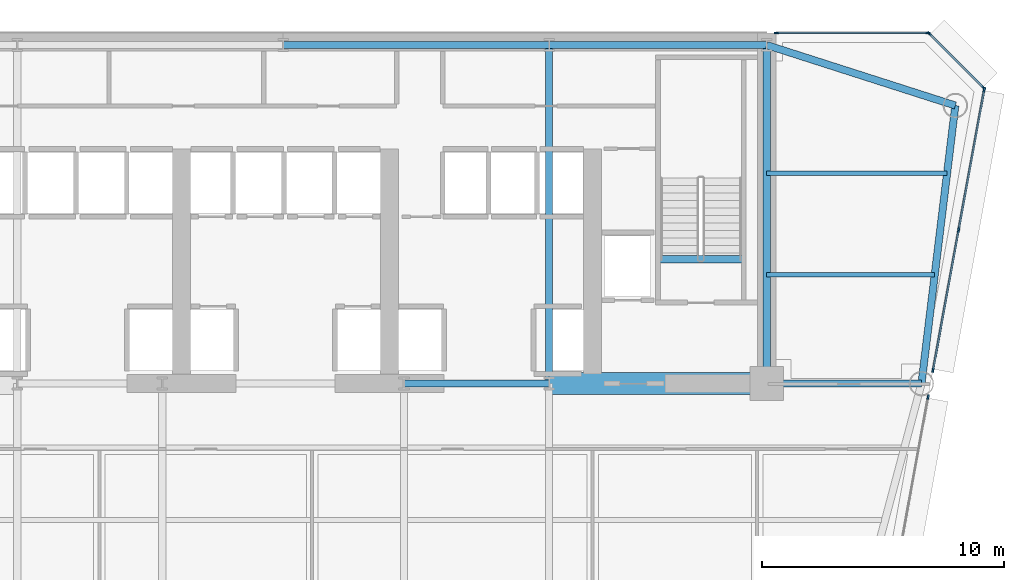
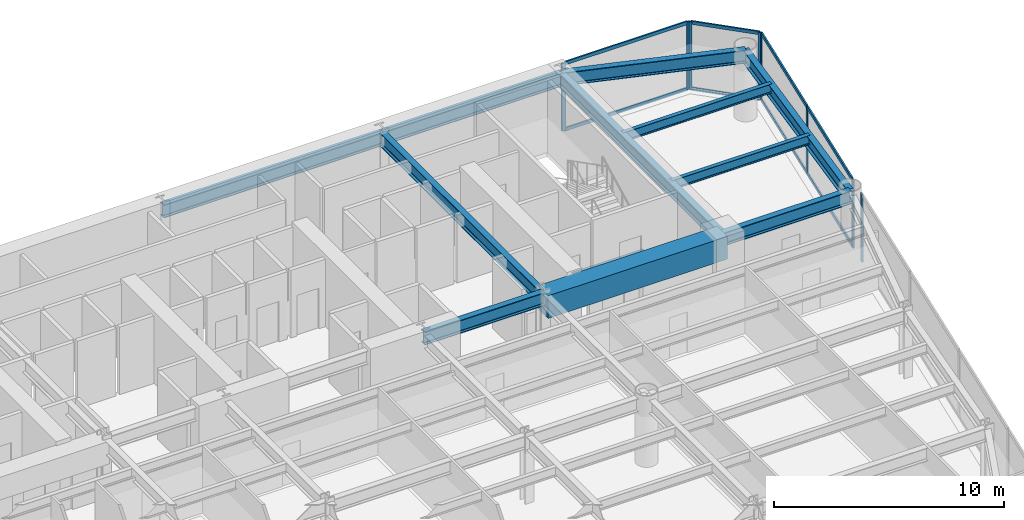
# One storey, part 7 of 15: 16 members, 12 beams, 4 elements without a shape of their own.
"""IFC4 building model written with IfcOpenShell, lengths in metres."""

from ifc_helpers import new_model, si_unit, direction, frame, origin, origin_2d, place, context, subcontext, project, spatial, rectangle, i_section, extrude, source, transform, mapped, material, layer, layer_set, material_profile, profile_set, type_object, element, aggregate, save


model = new_model("IFC4")

# Units and contexts
model_context = context("Model", 3, precision=1e-05, world=origin(), true_north=direction((0.0, 1.0)))
body_context = subcontext(model_context, "Body", "Model", "MODEL_VIEW")
ifc_project = project(units=[si_unit("LENGTHUNIT", "METRE"), si_unit("AREAUNIT", "SQUARE_METRE"), si_unit("VOLUMEUNIT", "CUBIC_METRE"), si_unit("PLANEANGLEUNIT", "RADIAN"), si_unit("MASSUNIT", "GRAM", prefix="KILO")], contexts=[model_context])

# Site, building, storey
site_placement = place(None, origin())
site = spatial("IfcSite", under=ifc_project, at=site_placement, CompositionType="ELEMENT")
building_placement = place(site_placement, origin())
building = spatial("IfcBuilding", under=site, at=building_placement, Name="Vaeldorn Concourse Tower", CompositionType="ELEMENT")
storey_placement = place(building_placement, frame((0.0, 0.0, 103.39990234375)))
storey = spatial("IfcBuildingStorey", under=building, at=storey_placement, Name="L26", CompositionType="ELEMENT", Elevation=103.39990234375)

# Beams
ifc_material_1 = material(Name="Concrete C60/75", Category="concrete")
ifc_material_profile_1 = material_profile(ifc_material_1, rectangle(XDim=0.89990234375, YDim=1.199951171875, at=origin_2d()), Name="RC 900x1200")
ifc_profile_set_1 = profile_set([ifc_material_profile_1], Name="Concrete C60/75")
beam_type_1 = type_object("IfcBeamType", Name="BM-CB-RC900", PredefinedType="BEAM", material=ifc_profile_set_1)
shared_shape_1 = source(origin(), body_context, "Body", "SweptSolid", [
    extrude(rectangle(XDim=0.89990234375, YDim=1.199951171875, at=origin_2d()), origin(), (0.0, 0.0, 1.0), 9.0),
])
beam_1_placement = place(storey_placement, frame((45.0, 36.5, 2.97998046875), z_axis=(1.0, 0.0, 0.0), x_axis=(0.0, 1.0, 0.0)))
element("IfcBeam", 1, at=beam_1_placement, inside=storey, type_object=beam_type_1, Name="Core Coupling Beam L26-2", PredefinedType="BEAM", context=body_context, shape_type="MappedRepresentation", body=[
    mapped(shared_shape_1, transform((0.0, 0.0, 0.0), scale=1.0)),
])
ifc_material_2 = material(Name="Steel S355", Category="steel")
ifc_material_profile_2 = material_profile(ifc_material_2, i_section(OverallWidth=0.300048828125, OverallDepth=0.340087890625, WebThickness=0.011962890625, FlangeThickness=0.021484375, FilletRadius=0.027099609375, at=origin_2d()), Name="HEB 340")
ifc_profile_set_2 = profile_set([ifc_material_profile_2], Name="Steel S355")
beam_type_2 = type_object("IfcBeamType", Name="BM-ST-TRIM", PredefinedType="BEAM", material=ifc_profile_set_2)
shared_shape_2 = source(origin(), body_context, "Body", "SweptSolid", [
    extrude(i_section(OverallWidth=0.300048828125, OverallDepth=0.340087890625, WebThickness=0.011962890625, FlangeThickness=0.021484375, FilletRadius=0.027099609375, at=origin_2d()), origin(), (0.0, 0.0, 1.0), 3.590087890625),
])
beam_2_placement = place(storey_placement, frame((49.47998046875, 41.639892578125, -0.389892578125), z_axis=(1.0, 0.0, 0.0), x_axis=(0.0, 1.0, 0.0)))
element("IfcBeam", 2, at=beam_2_placement, inside=storey, type_object=beam_type_2, Name="Stair Landing Trimmer Beam ST-2 L26", PredefinedType="BEAM", context=body_context, shape_type="MappedRepresentation", body=[
    mapped(shared_shape_2, transform((0.0, 0.0, 0.0), scale=1.0)),
])
ifc_material_profile_3 = material_profile(ifc_material_2, i_section(OverallWidth=0.199951171875, OverallDepth=0.5, WebThickness=0.01025390625, FlangeThickness=0.01611328125, FilletRadius=0.02099609375, at=origin_2d()), Name="IPE 500")
ifc_profile_set_3 = profile_set([ifc_material_profile_3], Name="Steel S355")
beam_type_3 = type_object("IfcBeamType", Name="BM-JS-IPE500", PredefinedType="JOIST", material=ifc_profile_set_3)
shared_shape_3 = source(origin(), body_context, "Body", "SweptSolid", [
    extrude(i_section(OverallWidth=0.199951171875, OverallDepth=0.5, WebThickness=0.01025390625, FlangeThickness=0.01611328125, FilletRadius=0.02099609375, at=origin_2d()), origin(), (0.0, 0.0, 1.0), 6.94775390625),
])
beam_3_placement = place(storey_placement, frame((54.0, 41.0, 3.330078125), z_axis=(1.0, 0.0, 0.0), x_axis=(0.0, 1.0, 0.0)))
element("IfcBeam", 3, at=beam_3_placement, inside=storey, type_object=beam_type_3, Name="Beam JS-L26-NE-410", PredefinedType="JOIST", context=body_context, shape_type="MappedRepresentation", body=[
    mapped(shared_shape_3, transform((0.0, 0.0, 0.0), scale=1.0)),
])
shared_shape_4 = source(origin(), body_context, "Body", "SweptSolid", [
    extrude(i_section(OverallWidth=0.199951171875, OverallDepth=0.5, WebThickness=0.01025390625, FlangeThickness=0.01611328125, FilletRadius=0.02099609375, at=origin_2d()), origin(), (0.0, 0.0, 1.0), 7.458984375),
])
beam_4_placement = place(storey_placement, frame((54.0, 45.199951171875, 3.330078125), z_axis=(1.0, 0.0, 0.0), x_axis=(0.0, 1.0, 0.0)))
element("IfcBeam", 4, at=beam_4_placement, inside=storey, type_object=beam_type_3, Name="Beam JS-L26-NE-452", PredefinedType="JOIST", context=body_context, shape_type="MappedRepresentation", body=[
    mapped(shared_shape_4, transform((0.0, 0.0, 0.0), scale=1.0)),
])
ifc_material_profile_4 = material_profile(ifc_material_2, i_section(OverallWidth=0.300048828125, OverallDepth=0.699951171875, WebThickness=0.01708984375, FlangeThickness=0.031982421875, FilletRadius=0.027099609375, at=origin_2d()), Name="HEB 700")
ifc_profile_set_4 = profile_set([ifc_material_profile_4], Name="Steel S355")
beam_type_4 = type_object("IfcBeamType", Name="BM-PG-HEB700", PredefinedType="BEAM", material=ifc_profile_set_4)
shared_shape_5 = source(origin(), body_context, "Body", "SweptSolid", [
    extrude(i_section(OverallWidth=0.300048828125, OverallDepth=0.699951171875, WebThickness=0.01708984375, FlangeThickness=0.031982421875, FilletRadius=0.027099609375, at=origin_2d()), origin(), (0.0, 0.0, 1.0), 6.0),
])
beam_5_placement = place(storey_placement, frame((39.0, 36.5, 3.22998046875), z_axis=(1.0, 0.0, 0.0), x_axis=(0.0, 1.0, 0.0)))
element("IfcBeam", 5, at=beam_5_placement, inside=storey, type_object=beam_type_4, Name="Beam BM-L26-C-FC4-C-FC5", PredefinedType="BEAM", context=body_context, shape_type="MappedRepresentation", body=[
    mapped(shared_shape_5, transform((0.0, 0.0, 0.0), scale=1.0)),
])
shared_shape_6 = source(origin(), body_context, "Body", "SweptSolid", [
    extrude(i_section(OverallWidth=0.300048828125, OverallDepth=0.699951171875, WebThickness=0.01708984375, FlangeThickness=0.031982421875, FilletRadius=0.027099609375, at=origin_2d()), origin(), (0.0, 0.0, 1.0), 9.0),
])
beam_6_placement = place(storey_placement, frame((45.0, 50.5, 3.22998046875), z_axis=(1.0, 0.0, 0.0), x_axis=(0.0, 1.0, 0.0)))
element("IfcBeam", 6, at=beam_6_placement, inside=storey, type_object=beam_type_4, Name="Beam BM-L26-C-HC4-C-HC5", PredefinedType="BEAM", context=body_context, shape_type="MappedRepresentation", body=[
    mapped(shared_shape_6, transform((0.0, 0.0, 0.0), scale=1.0)),
])
shared_shape_7 = source(origin(), body_context, "Body", "SweptSolid", [
    extrude(i_section(OverallWidth=0.300048828125, OverallDepth=0.699951171875, WebThickness=0.01708984375, FlangeThickness=0.031982421875, FilletRadius=0.027099609375, at=origin_2d()), origin(), (0.0, 0.0, 1.0), 11.0),
])
beam_7_placement = place(storey_placement, frame((34.0, 50.5, 3.22998046875), z_axis=(1.0, 0.0, 0.0), x_axis=(0.0, 1.0, 0.0)))
element("IfcBeam", 7, at=beam_7_placement, inside=storey, type_object=beam_type_4, Name="Beam BM-L26-C-HC3-C-HC4", PredefinedType="BEAM", context=body_context, shape_type="MappedRepresentation", body=[
    mapped(shared_shape_7, transform((0.0, 0.0, 0.0), scale=1.0)),
])
shared_shape_8 = source(origin(), body_context, "Body", "SweptSolid", [
    extrude(i_section(OverallWidth=0.300048828125, OverallDepth=0.699951171875, WebThickness=0.01708984375, FlangeThickness=0.031982421875, FilletRadius=0.027099609375, at=origin_2d()), origin(), (0.0, 0.0, 1.0), 14.0),
])
for number, where, z_axis, x_axis, name in (
    (8, (45.0, 36.5, 3.22998046875), (0.0, 1.0, 0.0), (-1.0, 0.0, 0.0), "Beam BM-L26-C-FC5-C-HC4"),
    (9, (54.0, 36.5, 3.22998046875), (0.0, 1.0, 0.0), (-1.0, 0.0, 0.0), "Beam BM-L26-C-FC6-C-HC5"),
):
    element("IfcBeam", number, at=place(storey_placement, frame(where, z_axis=z_axis, x_axis=x_axis)), inside=storey, type_object=beam_type_4, Name=name, PredefinedType="BEAM", context=body_context, shape_type="MappedRepresentation", body=[
        mapped(shared_shape_8, transform((0.0, 0.0, 0.0), scale=1.0)),
    ])
shared_shape_9 = source(origin(), body_context, "Body", "SweptSolid", [
    extrude(i_section(OverallWidth=0.300048828125, OverallDepth=0.699951171875, WebThickness=0.01708984375, FlangeThickness=0.031982421875, FilletRadius=0.027099609375, at=origin_2d()), origin(), (0.0, 0.0, 1.0), 8.19091796875),
])
beam_8_placement = place(storey_placement, frame((54.0, 50.5, 3.22998046875), z_axis=(0.952282843383, -0.305216949396, 0.0), x_axis=(0.305216949396, 0.952282843383, 0.0)))
element("IfcBeam", 10, at=beam_8_placement, inside=storey, type_object=beam_type_4, Name="Beam BM-L26-C-HC5-C-NE1", PredefinedType="BEAM", context=body_context, shape_type="MappedRepresentation", body=[
    mapped(shared_shape_9, transform((0.0, 0.0, 0.0), scale=1.0)),
])
shared_shape_10 = source(origin(), body_context, "Body", "SweptSolid", [
    extrude(i_section(OverallWidth=0.300048828125, OverallDepth=0.699951171875, WebThickness=0.01708984375, FlangeThickness=0.031982421875, FilletRadius=0.027099609375, at=origin_2d()), origin(), (0.0, 0.0, 1.0), 11.5849609375),
])
beam_9_placement = place(storey_placement, frame((61.800048828125, 48.0, 3.22998046875), z_axis=(-0.120859382899, -0.992669637677, 0.0), x_axis=(0.992669637677, -0.120859382899, 0.0)))
element("IfcBeam", 11, at=beam_9_placement, inside=storey, type_object=beam_type_4, Name="Beam BM-L26-C-NE1-C-NE2", PredefinedType="BEAM", context=body_context, shape_type="MappedRepresentation", body=[
    mapped(shared_shape_10, transform((0.0, 0.0, 0.0), scale=1.0)),
])
shared_shape_11 = source(origin(), body_context, "Body", "SweptSolid", [
    extrude(i_section(OverallWidth=0.300048828125, OverallDepth=0.699951171875, WebThickness=0.01708984375, FlangeThickness=0.031982421875, FilletRadius=0.027099609375, at=origin_2d()), origin(), (0.0, 0.0, 1.0), 6.39990234375),
])
beam_10_placement = place(storey_placement, frame((54.0, 36.5, 3.22998046875), z_axis=(1.0, 0.0, 0.0), x_axis=(0.0, 1.0, 0.0)))
element("IfcBeam", 12, at=beam_10_placement, inside=storey, type_object=beam_type_4, Name="Beam BM-L26-C-FC6-C-NE2", PredefinedType="BEAM", context=body_context, shape_type="MappedRepresentation", body=[
    mapped(shared_shape_11, transform((0.0, 0.0, 0.0), scale=1.0)),
])

# Curtain wall, members
ifc_material_3 = material(Name="Anodised Bronze Aluminium", Category="aluminium")
ifc_layer = layer(ifc_material_3, 0.199951171875)
ifc_layer_set = layer_set([ifc_layer], Name="Anodised Bronze Aluminium")
curtain_wall_type = type_object("IfcCurtainWallType", Name="CW-SYS-02", PredefinedType="NOTDEFINED", material=ifc_layer_set)
curtain_wall_1_placement = place(storey_placement, origin())
curtain_wall_1 = element("IfcCurtainWall", 13, at=curtain_wall_1_placement, inside=storey, type_object=curtain_wall_type, Name="Unitised Curtain Wall CW-L26-E08-1", PredefinedType="NOTDEFINED")
ifc_material_profile_5 = material_profile(ifc_material_3, rectangle(XDim=0.074951171875, YDim=0.179931640625, at=origin_2d()), Name="CWT 75x180")
ifc_profile_set_5 = profile_set([ifc_material_profile_5], Name="Anodised Bronze Aluminium")
member_type_1 = type_object("IfcMemberType", Name="CWT-BRONZE-180", PredefinedType="USERDEFINED", material=ifc_profile_set_5)
shared_shape_12 = source(origin(), body_context, "Body", "SweptSolid", [
    extrude(rectangle(XDim=0.074951171875, YDim=0.179931640625, at=origin_2d()), origin(), (0.0, 0.0, 1.0), 3.10302734375),
])
member_1_placement = place(storey_placement, frame((62.947021484375, 48.7529296875, 0.03759765625), z_axis=(-0.707106781187, 0.707106781187, 0.0), x_axis=(-0.707106781187, -0.707106781187, 0.0)))
member_1 = element("IfcMember", 14, at=member_1_placement, type_object=member_type_1, Name="CW-02 transom 1.1", ObjectType="TRANSOM", PredefinedType="USERDEFINED", context=body_context, shape_type="MappedRepresentation", body=[
    mapped(shared_shape_12, transform((0.0, 0.0, 0.0), scale=1.0)),
])
member_2_placement = place(storey_placement, frame((62.947021484375, 48.7529296875, 3.54248046875), z_axis=(-0.707106781187, 0.707106781187, 0.0), x_axis=(-0.707106781187, -0.707106781187, 0.0)))
member_2 = element("IfcMember", 15, at=member_2_placement, type_object=member_type_1, Name="CW-02 transom 1.2", ObjectType="TRANSOM", PredefinedType="USERDEFINED", context=body_context, shape_type="MappedRepresentation", body=[
    mapped(shared_shape_12, transform((0.0, 0.0, 0.0), scale=1.0)),
])

# Curtain wall, member
curtain_wall_2_placement = place(storey_placement, origin())
curtain_wall_2 = element("IfcCurtainWall", 16, at=curtain_wall_2_placement, inside=storey, type_object=curtain_wall_type, Name="Unitised Curtain Wall CW-L26-E07-1", PredefinedType="NOTDEFINED")
ifc_material_profile_6 = material_profile(ifc_material_3, rectangle(XDim=0.074951171875, YDim=0.18994140625, at=origin_2d()), Name="CWM 75x190")
ifc_profile_set_6 = profile_set([ifc_material_profile_6], Name="Anodised Bronze Aluminium")
member_type_2 = type_object("IfcMemberType", Name="CWM-BRONZE-190", PredefinedType="MULLION", material=ifc_profile_set_6)
shared_shape_13 = source(origin(), body_context, "Body", "SweptSolid", [
    extrude(rectangle(XDim=0.074951171875, YDim=0.18994140625, at=origin_2d()), origin(), (0.0, 0.0, 1.0), 3.580078125),
])
member_3_placement = place(storey_placement, frame((60.67431640625, 35.945068359375, 0.0), z_axis=(0.0, 0.0, 1.0), x_axis=(-0.983779200312, 0.179383625321, 0.0)))
member_3 = element("IfcMember", 17, at=member_3_placement, type_object=member_type_2, Name="CW-02 mullion 6", PredefinedType="MULLION", context=body_context, shape_type="MappedRepresentation", body=[
    mapped(shared_shape_13, transform((0.0, 0.0, 0.0), scale=1.0)),
])
aggregate(curtain_wall_2, [member_3])

# Curtain wall, members
curtain_wall_3_placement = place(storey_placement, origin())
curtain_wall_3 = element("IfcCurtainWall", 18, at=curtain_wall_3_placement, inside=storey, type_object=curtain_wall_type, Name="Unitised Curtain Wall CW-L26-E07-2", PredefinedType="NOTDEFINED")
member_4_placement = place(storey_placement, frame((60.876708984375, 37.054931640625, 0.0), z_axis=(0.0, 0.0, 1.0), x_axis=(-0.983779373074, 0.179382677853, 0.0)))
member_4 = element("IfcMember", 19, at=member_4_placement, type_object=member_type_2, Name="CW-02 mullion 1", PredefinedType="MULLION", context=body_context, shape_type="MappedRepresentation", body=[
    mapped(shared_shape_13, transform((0.0, 0.0, 0.0), scale=1.0)),
])
member_5_placement = place(storey_placement, frame((61.93505859375, 42.85888671875, 0.0), z_axis=(0.0, 0.0, 1.0), x_axis=(-0.983779373074, 0.179382677853, 0.0)))
member_5 = element("IfcMember", 20, at=member_5_placement, type_object=member_type_2, Name="CW-02 mullion 2", PredefinedType="MULLION", context=body_context, shape_type="MappedRepresentation", body=[
    mapped(shared_shape_13, transform((0.0, 0.0, 0.0), scale=1.0)),
])
member_6_placement = place(storey_placement, frame((62.9931640625, 48.6630859375, 0.0), z_axis=(0.0, 0.0, 1.0), x_axis=(-0.983779373074, 0.179382677853, 0.0)))
member_6 = element("IfcMember", 21, at=member_6_placement, type_object=member_type_2, Name="CW-02 mullion 3", PredefinedType="MULLION", context=body_context, shape_type="MappedRepresentation", body=[
    mapped(shared_shape_13, transform((0.0, 0.0, 0.0), scale=1.0)),
])

# Member
member_7_placement = place(storey_placement, frame((62.973388671875, 48.7265625, 0.0), z_axis=(0.0, 0.0, 1.0), x_axis=(-0.707106781187, -0.707106781187, 0.0)))
member_7 = element("IfcMember", 22, at=member_7_placement, type_object=member_type_2, Name="CW-02 mullion 1", PredefinedType="MULLION", context=body_context, shape_type="MappedRepresentation", body=[
    mapped(shared_shape_13, transform((0.0, 0.0, 0.0), scale=1.0)),
])

member_8_placement = place(storey_placement, frame((60.7265625, 50.973388671875, 0.0), z_axis=(0.0, 0.0, 1.0), x_axis=(-0.707106781187, -0.707106781187, 0.0)))
member_8 = element("IfcMember", 23, at=member_8_placement, type_object=member_type_2, Name="CW-02 mullion 2", PredefinedType="MULLION", context=body_context, shape_type="MappedRepresentation", body=[
    mapped(shared_shape_13, transform((0.0, 0.0, 0.0), scale=1.0)),
])

aggregate(curtain_wall_1, [member_7, member_8, member_1, member_2])

# Curtain wall, members
curtain_wall_4_placement = place(storey_placement, origin())
curtain_wall_4 = element("IfcCurtainWall", 24, at=curtain_wall_4_placement, inside=storey, type_object=curtain_wall_type, Name="Unitised Curtain Wall CW-L26-E09-1", PredefinedType="NOTDEFINED")
member_9_placement = place(storey_placement, frame((60.66259765625, 51.0, 0.0), z_axis=(0.0, 0.0, 1.0), x_axis=(0.0, -1.0, 0.0)))
member_9 = element("IfcMember", 25, at=member_9_placement, type_object=member_type_2, Name="CW-02 mullion 1", PredefinedType="MULLION", context=body_context, shape_type="MappedRepresentation", body=[
    mapped(shared_shape_13, transform((0.0, 0.0, 0.0), scale=1.0)),
])
member_10_placement = place(storey_placement, frame((54.407470703125, 51.0, 0.0), z_axis=(0.0, 0.0, 1.0), x_axis=(0.0, -1.0, 0.0)))
member_10 = element("IfcMember", 26, at=member_10_placement, type_object=member_type_2, Name="CW-02 mullion 2", PredefinedType="MULLION", context=body_context, shape_type="MappedRepresentation", body=[
    mapped(shared_shape_13, transform((0.0, 0.0, 0.0), scale=1.0)),
])
shared_shape_14 = source(origin(), body_context, "Body", "SweptSolid", [
    extrude(rectangle(XDim=0.074951171875, YDim=0.179931640625, at=origin_2d()), origin(), (0.0, 0.0, 1.0), 6.179931640625),
])
member_11_placement = place(storey_placement, frame((60.625, 51.0, 0.03759765625), z_axis=(-1.0, 0.0, 0.0), x_axis=(0.0, -1.0, 0.0)))
member_11 = element("IfcMember", 27, at=member_11_placement, type_object=member_type_1, Name="CW-02 transom 1.1", ObjectType="TRANSOM", PredefinedType="USERDEFINED", context=body_context, shape_type="MappedRepresentation", body=[
    mapped(shared_shape_14, transform((0.0, 0.0, 0.0), scale=1.0)),
])
member_12_placement = place(storey_placement, frame((60.625, 51.0, 3.54248046875), z_axis=(-1.0, 0.0, 0.0), x_axis=(0.0, -1.0, 0.0)))
member_12 = element("IfcMember", 28, at=member_12_placement, type_object=member_type_1, Name="CW-02 transom 1.2", ObjectType="TRANSOM", PredefinedType="USERDEFINED", context=body_context, shape_type="MappedRepresentation", body=[
    mapped(shared_shape_14, transform((0.0, 0.0, 0.0), scale=1.0)),
])
aggregate(curtain_wall_4, [member_9, member_10, member_11, member_12])

# Member
shared_shape_15 = source(origin(), body_context, "Body", "SweptSolid", [
    extrude(rectangle(XDim=0.074951171875, YDim=0.179931640625, at=origin_2d()), origin(), (0.0, 0.0, 1.0), 5.82470703125),
])
member_13_placement = place(storey_placement, frame((60.88330078125, 37.091796875, 0.03759765625), z_axis=(0.179394424984, 0.983777231026, 0.0), x_axis=(-0.983777231026, 0.179394424984, 0.0)))
member_13 = element("IfcMember", 29, at=member_13_placement, type_object=member_type_1, Name="CW-02 transom 1.1", ObjectType="TRANSOM", PredefinedType="USERDEFINED", context=body_context, shape_type="MappedRepresentation", body=[
    mapped(shared_shape_15, transform((0.0, 0.0, 0.0), scale=1.0)),
])

member_14_placement = place(storey_placement, frame((60.88330078125, 37.091796875, 3.54248046875), z_axis=(0.179394424984, 0.983777231026, 0.0), x_axis=(-0.983777231026, 0.179394424984, 0.0)))
member_14 = element("IfcMember", 30, at=member_14_placement, type_object=member_type_1, Name="CW-02 transom 1.2", ObjectType="TRANSOM", PredefinedType="USERDEFINED", context=body_context, shape_type="MappedRepresentation", body=[
    mapped(shared_shape_15, transform((0.0, 0.0, 0.0), scale=1.0)),
])

member_15_placement = place(storey_placement, frame((61.941650390625, 42.89599609375, 0.03759765625), z_axis=(0.179394424984, 0.983777231026, 0.0), x_axis=(-0.983777231026, 0.179394424984, 0.0)))
member_15 = element("IfcMember", 31, at=member_15_placement, type_object=member_type_1, Name="CW-02 transom 2.1", ObjectType="TRANSOM", PredefinedType="USERDEFINED", context=body_context, shape_type="MappedRepresentation", body=[
    mapped(shared_shape_15, transform((0.0, 0.0, 0.0), scale=1.0)),
])

member_16_placement = place(storey_placement, frame((61.941650390625, 42.89599609375, 3.54248046875), z_axis=(0.179394424984, 0.983777231026, 0.0), x_axis=(-0.983777231026, 0.179394424984, 0.0)))
member_16 = element("IfcMember", 32, at=member_16_placement, type_object=member_type_1, Name="CW-02 transom 2.2", ObjectType="TRANSOM", PredefinedType="USERDEFINED", context=body_context, shape_type="MappedRepresentation", body=[
    mapped(shared_shape_15, transform((0.0, 0.0, 0.0), scale=1.0)),
])

aggregate(curtain_wall_3, [member_4, member_5, member_6, member_13, member_14, member_15, member_16])

save(model, "model.ifc")
